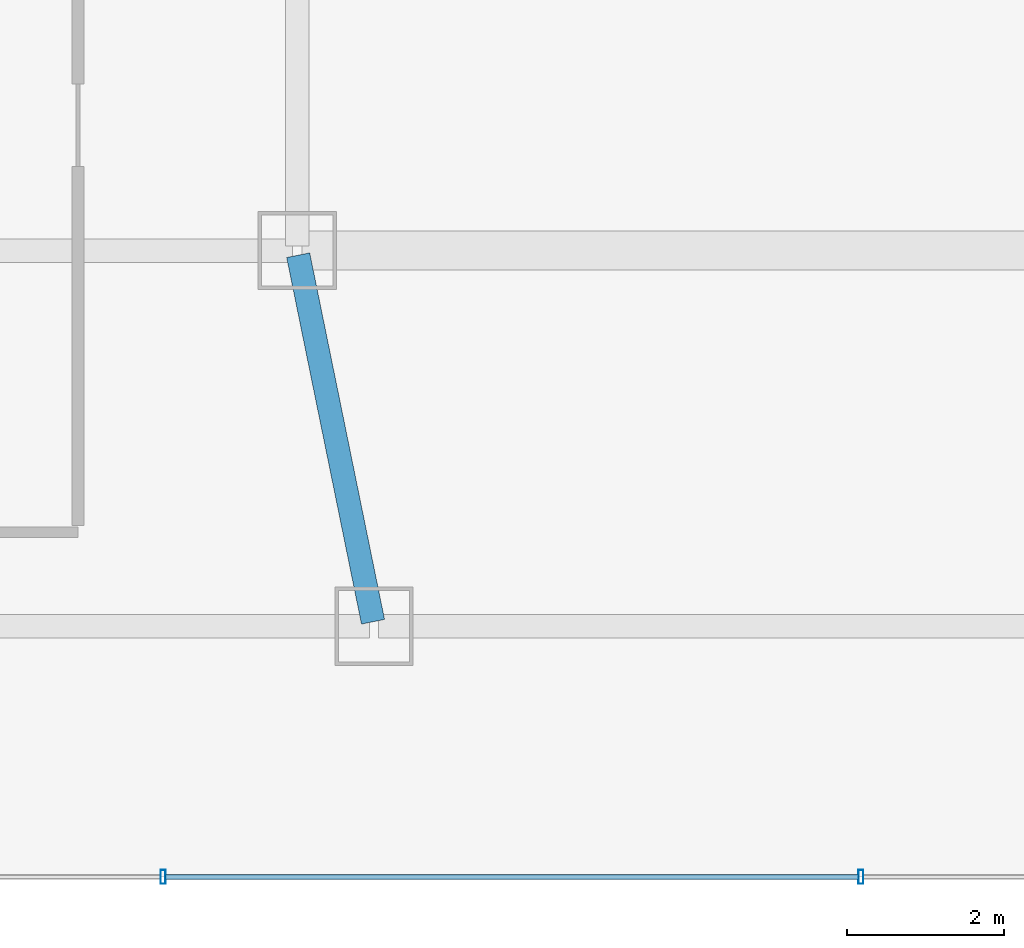
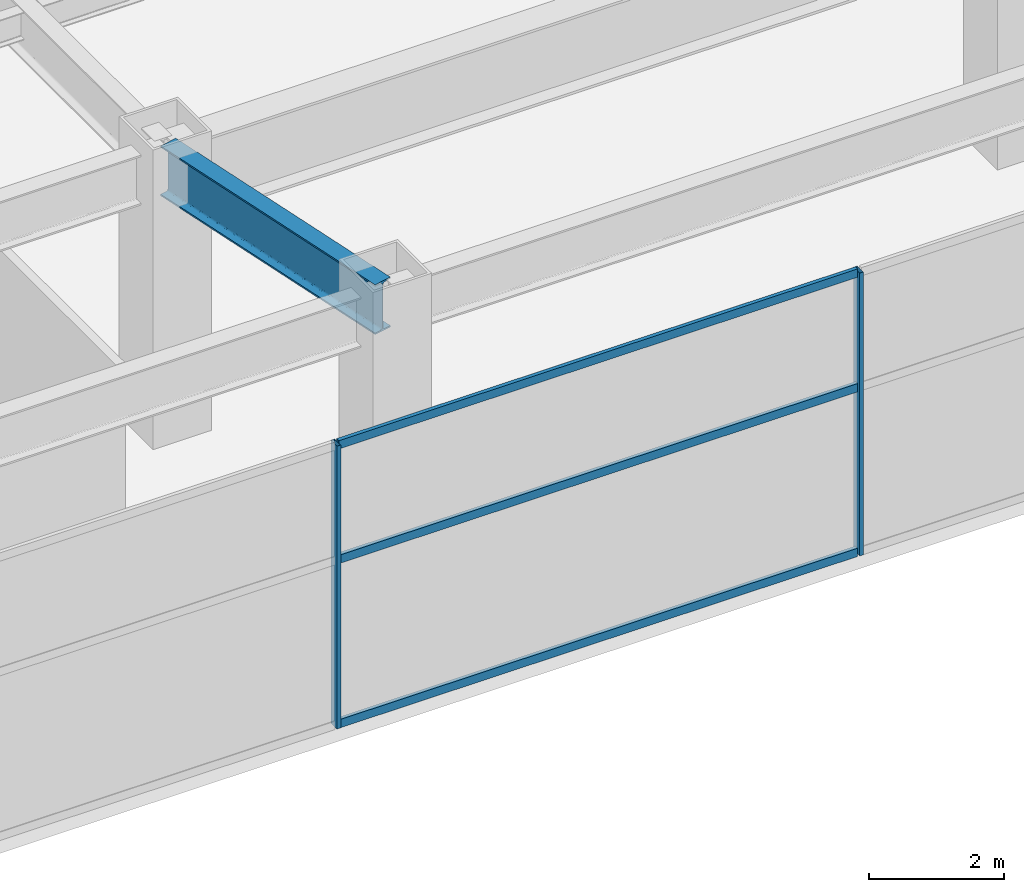
# One storey, part 10 of 52: 5 members, 1 beam, 1 element without a shape of its own.
"""IFC4 building model written with IfcOpenShell, lengths in metres."""

from ifc_helpers import new_model, si_unit, direction, frame, origin, origin_2d, place, context, subcontext, project, spatial, hollow_rectangle, i_section, extrude, material, material_profile, profile_set, type_object, element, aggregate, save


model = new_model("IFC4")

# Units and contexts
model_context = context("Model", 3, precision=1e-05, world=origin(), true_north=direction((0.0, 1.0)))
body_context = subcontext(model_context, "Body", "Model", "MODEL_VIEW")
ifc_project = project(units=[si_unit("LENGTHUNIT", "METRE"), si_unit("AREAUNIT", "SQUARE_METRE"), si_unit("VOLUMEUNIT", "CUBIC_METRE"), si_unit("PLANEANGLEUNIT", "RADIAN"), si_unit("MASSUNIT", "GRAM", prefix="KILO")], contexts=[model_context])

# Site, building, storey
site_placement = place(None, origin())
site = spatial("IfcSite", under=ifc_project, at=site_placement, CompositionType="ELEMENT")
building_placement = place(site_placement, origin())
building = spatial("IfcBuilding", under=site, at=building_placement, Name="Saevonmaru Cultural Tower", CompositionType="ELEMENT")
storey_placement = place(building_placement, frame((0.0, 0.0, 16.800048828125)))
storey = spatial("IfcBuildingStorey", under=building, at=storey_placement, Name="L03", CompositionType="ELEMENT", Elevation=16.800048828125)

# Beam
ifc_material_1 = material(Name="Steel SM420", Category="steel")
ifc_material_profile_1 = material_profile(ifc_material_1, i_section(OverallWidth=0.300048828125, OverallDepth=0.89990234375, WebThickness=0.01611328125, FlangeThickness=0.028076171875, FilletRadius=0.028076171875, at=origin_2d()), Name="H-900x300x16x28")
ifc_profile_set_1 = profile_set([ifc_material_profile_1], Name="Steel SM420")
beam_type = type_object("IfcBeamType", Name="BM-G-H900", PredefinedType="BEAM", material=ifc_profile_set_1)
beam_placement = place(storey_placement, frame((23.76806640625, 3.2587890625, 4.64990234375), z_axis=(-0.200054094908, 0.979784853481, 0.0), x_axis=(-0.979784853481, -0.200054094908, 0.0)))
element("IfcBeam", 1, at=beam_placement, inside=storey, type_object=beam_type, Name="L03 Podium Girder NS2-1", PredefinedType="BEAM", context=body_context, shape_type="SweptSolid", body=[
    extrude(i_section(OverallWidth=0.300048828125, OverallDepth=0.89990234375, WebThickness=0.01611328125, FlangeThickness=0.028076171875, FilletRadius=0.028076171875, at=origin_2d()), origin(), (0.0, 0.0, 1.0), 4.779052734375),
])

# Curtain wall, members
ifc_material_2 = material(Name="Satin Bronze Anodised Aluminium", Category="aluminium")
curtain_wall_type = type_object("IfcCurtainWallType", Name="CW-POD-GLZ", PredefinedType="NOTDEFINED", material=ifc_material_2)
curtain_wall_placement = place(storey_placement, origin())
curtain_wall = element("IfcCurtainWall", 2, at=curtain_wall_placement, inside=storey, type_object=curtain_wall_type, Name="L03 South Grand Foyer Curtain Wall", PredefinedType="NOTDEFINED")
ifc_material_profile_2 = material_profile(ifc_material_2, hollow_rectangle(XDim=0.06494140625, YDim=0.179931640625, WallThickness=0.00390625, at=origin_2d()), Name="ALU-MULL-180x65x4")
ifc_profile_set_2 = profile_set([ifc_material_profile_2], Name="Satin Bronze Anodised Aluminium")
member_type_1 = type_object("IfcMemberType", Name="ML-CW-180x65", PredefinedType="MULLION", material=ifc_profile_set_2)
member_1_placement = place(storey_placement, frame((21.086669921875, 0.0, 0.0), z_axis=(0.0, 0.0, 1.0), x_axis=(1.0, 0.0, 0.0)))
member_1 = element("IfcMember", 3, at=member_1_placement, type_object=member_type_1, Name="CW-POD-S-L03 mullion 3", PredefinedType="MULLION", context=body_context, shape_type="SweptSolid", body=[
    extrude(hollow_rectangle(XDim=0.06494140625, YDim=0.179931640625, WallThickness=0.00390625, at=origin_2d()), origin(), (0.0, 0.0, 1.0), 5.099853515625),
])
member_2_placement = place(storey_placement, frame((30.0, 0.0, 0.0), z_axis=(0.0, 0.0, 1.0), x_axis=(1.0, 0.0, 0.0)))
member_2 = element("IfcMember", 4, at=member_2_placement, type_object=member_type_1, Name="CW-POD-S-L03 mullion 4", PredefinedType="MULLION", context=body_context, shape_type="SweptSolid", body=[
    extrude(hollow_rectangle(XDim=0.06494140625, YDim=0.179931640625, WallThickness=0.00390625, at=origin_2d()), origin(), (0.0, 0.0, 1.0), 5.099853515625),
])
ifc_material_profile_3 = material_profile(ifc_material_2, hollow_rectangle(XDim=0.06494140625, YDim=0.14990234375, WallThickness=0.00390625, at=origin_2d()), Name="ALU-TRAN-150x65x4")
ifc_profile_set_3 = profile_set([ifc_material_profile_3], Name="Satin Bronze Anodised Aluminium")
member_type_2 = type_object("IfcMemberType", Name="TR-CW-150x65", PredefinedType="USERDEFINED", material=ifc_profile_set_3)
member_3_placement = place(storey_placement, frame((21.119140625, 0.0, 0.032470703125), z_axis=(1.0, 0.0, 0.0), x_axis=(0.0, 1.0, 0.0)))
member_3 = element("IfcMember", 5, at=member_3_placement, type_object=member_type_2, Name="CW-POD-S-L03 transom 3.1", ObjectType="TRANSOM", PredefinedType="USERDEFINED", context=body_context, shape_type="SweptSolid", body=[
    extrude(hollow_rectangle(XDim=0.06494140625, YDim=0.14990234375, WallThickness=0.00390625, at=origin_2d()), origin(), (0.0, 0.0, 1.0), 8.848388671875),
])
member_4_placement = place(storey_placement, frame((21.119140625, 0.0, 3.0), z_axis=(1.0, 0.0, 0.0), x_axis=(0.0, 1.0, 0.0)))
member_4 = element("IfcMember", 6, at=member_4_placement, type_object=member_type_2, Name="CW-POD-S-L03 transom 3.2", ObjectType="TRANSOM", PredefinedType="USERDEFINED", context=body_context, shape_type="SweptSolid", body=[
    extrude(hollow_rectangle(XDim=0.06494140625, YDim=0.14990234375, WallThickness=0.00390625, at=origin_2d()), origin(), (0.0, 0.0, 1.0), 8.848388671875),
])
member_5_placement = place(storey_placement, frame((21.119140625, 0.0, 5.0673828125), z_axis=(1.0, 0.0, 0.0), x_axis=(0.0, 1.0, 0.0)))
member_5 = element("IfcMember", 7, at=member_5_placement, type_object=member_type_2, Name="CW-POD-S-L03 transom 3.3", ObjectType="TRANSOM", PredefinedType="USERDEFINED", context=body_context, shape_type="SweptSolid", body=[
    extrude(hollow_rectangle(XDim=0.06494140625, YDim=0.14990234375, WallThickness=0.00390625, at=origin_2d()), origin(), (0.0, 0.0, 1.0), 8.848388671875),
])
aggregate(curtain_wall, [member_1, member_2, member_3, member_4, member_5])

save(model, "model.ifc")
